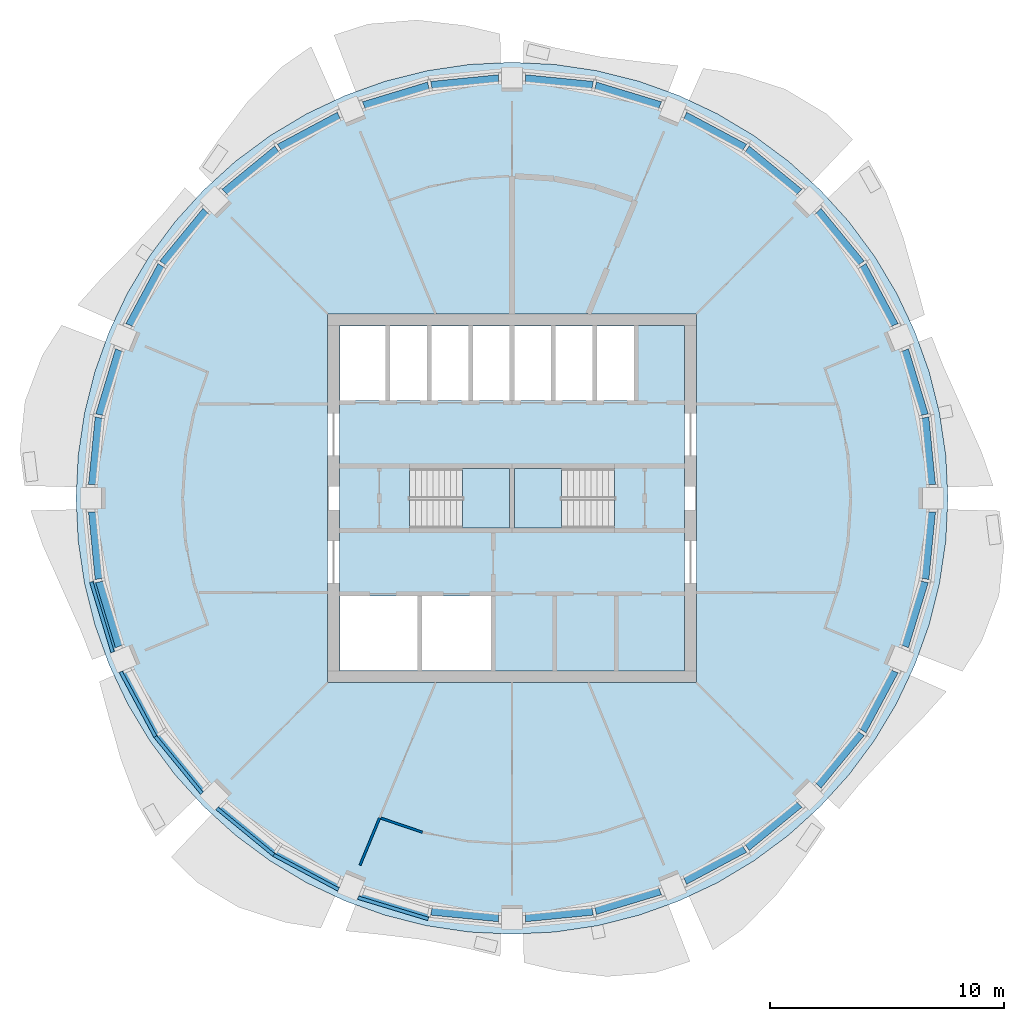
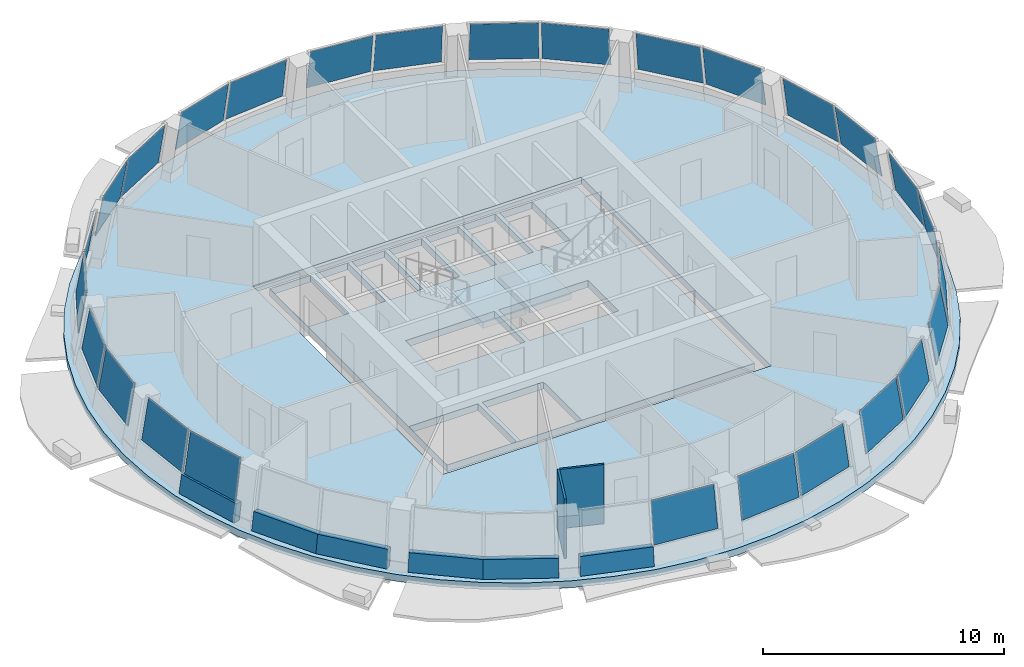
# One storey, part 3 of 11: 27 plates, 8 walls, 4 slabs, 16 elements without a shape of their own.
"""IFC4 building model written with IfcOpenShell, lengths in metres."""

import ifcopenshell
import ifcopenshell.guid

model = None  # the IFC model being written
_history = None  # IfcOwnerHistory: only IFC2X3 demands one
_inside = {}  # id of a spatial element -> (the spatial element, [elements in it])
_under = {}  # id of a project, library or spatial element -> (it, [spatial elements below it])
_declared = {}  # id of a project -> (the project, [libraries it declares])
_typed = {}  # id of a type object -> (the type object, [elements of that type])
_made_of = {}  # id of a material, layer set ... -> (it, [elements and type objects made of it])


def new_model(schema):
    """Start an empty IFC model of exactly this schema.

    Asked for "IFC4X3", IfcOpenShell would pick the latest addendum, in which some entities
    have other attributes; the version numbers below select the first issue.
    IFC2X3 requires an IfcOwnerHistory on every rooted entity: one is made here for all.
    """
    global model, _history
    if schema == "IFC4X3":
        model = ifcopenshell.file(schema_version=(4, 3, 0, 0))
    else:
        model = ifcopenshell.file(schema=schema)
    _inside.clear()
    _under.clear()
    _declared.clear()
    _typed.clear()
    _made_of.clear()
    _history = None
    if model.schema == "IFC2X3":
        org = make("IfcOrganization", Name="unknown")
        user = make(
            "IfcPersonAndOrganization",
            ThePerson=make("IfcPerson", FamilyName="unknown"),
            TheOrganization=org,
        )
        app = make(
            "IfcApplication",
            ApplicationDeveloper=org,
            Version="unknown",
            ApplicationFullName="unknown",
            ApplicationIdentifier="unknown",
        )
        _history = make(
            "IfcOwnerHistory",
            OwningUser=user,
            OwningApplication=app,
            ChangeAction="ADDED",
            CreationDate=0,
        )
    return model


def make(cls, **values):
    """One entity of the class cls with the attributes given. An attribute that is None is left unset."""
    return model.create_entity(
        cls, **{name: value for name, value in values.items() if value is not None}
    )


def rooted(cls, **values):
    """An entity with a GlobalId (a new one), such as an element, a storey or a relation."""
    return make(cls, GlobalId=ifcopenshell.guid.new(), OwnerHistory=_history, **values)


def si_unit(unit_type, name, prefix=None):
    """IfcSIUnit, for example si_unit("LENGTHUNIT", "METRE", prefix="MILLI")."""
    return make("IfcSIUnit", UnitType=unit_type, Prefix=prefix, Name=name)


def assignment(units):
    """IfcUnitAssignment: the units of a project."""
    return None if units is None else make("IfcUnitAssignment", Units=units)


def point(xyz):
    """IfcCartesianPoint."""
    return None if xyz is None else make("IfcCartesianPoint", Coordinates=xyz)


def direction(xyz):
    """IfcDirection."""
    return None if xyz is None else make("IfcDirection", DirectionRatios=xyz)


def frame(location, z_axis=None, x_axis=None):
    """IfcAxis2Placement3D, a coordinate frame: its origin and axes. An axis left out is left unset."""
    return make(
        "IfcAxis2Placement3D",
        Location=point(location),
        Axis=direction(z_axis),
        RefDirection=direction(x_axis),
    )


def frame_2d(location, x_axis=None):
    """IfcAxis2Placement2D, a coordinate frame in the plane: its origin and x axis."""
    return make(
        "IfcAxis2Placement2D", Location=point(location), RefDirection=direction(x_axis)
    )


def origin():
    """The frame at (0, 0, 0) with its axes left unset."""
    return frame((0.0, 0.0, 0.0))


def place(relative_to, where):
    """IfcLocalPlacement: puts the frame where relative to a parent placement (None: the world)."""
    return make(
        "IfcLocalPlacement", PlacementRelTo=relative_to, RelativePlacement=where
    )


def context(
    kind, dimensions, precision=None, world=None, true_north=None, identifier=None
):
    """IfcGeometricRepresentationContext, for example the 3D "Model" context."""
    return make(
        "IfcGeometricRepresentationContext",
        ContextIdentifier=identifier,
        ContextType=kind,
        CoordinateSpaceDimension=dimensions,
        Precision=precision,
        WorldCoordinateSystem=world,
        TrueNorth=true_north,
    )


def subcontext(parent, identifier, kind, view, scale=None):
    """IfcGeometricRepresentationSubContext, for example "Body" below "Model"."""
    return make(
        "IfcGeometricRepresentationSubContext",
        ContextIdentifier=identifier,
        ContextType=kind,
        ParentContext=parent,
        TargetScale=scale,
        TargetView=view,
    )


def project(units=None, contexts=None):
    """IfcProject with its units and contexts."""
    return rooted(
        "IfcProject",
        Name="project",
        RepresentationContexts=contexts,
        UnitsInContext=assignment(units),
    )


def spatial(cls, under=None, at=None, **own):
    """A site, building, storey or space (cls), placed at a placement, below another one or the project."""
    s = rooted(cls, ObjectPlacement=at, **own)
    if under is not None:
        _under.setdefault(under.id(), (under, []))[1].append(s)
    return s


def polyline(points):
    """IfcPolyline through the points."""
    return make("IfcPolyline", Points=[point(p) for p in points])


def profile(cls, at=None, kind="AREA", **sizes):
    """A parametric profile (cls). Its sizes go by their IFC names, for example OverallWidth=200.0."""
    return make(cls, ProfileType=kind, Position=at, **sizes)


def rectangle(**sizes):
    """IfcRectangleProfileDef."""
    return profile("IfcRectangleProfileDef", **sizes)


def outline(outer, holes=None, kind="AREA"):
    """IfcArbitraryClosedProfileDef: a profile drawn as a closed curve; with holes, ...WithVoids."""
    if holes is None:
        return make("IfcArbitraryClosedProfileDef", ProfileType=kind, OuterCurve=outer)
    return make(
        "IfcArbitraryProfileDefWithVoids",
        ProfileType=kind,
        OuterCurve=outer,
        InnerCurves=holes,
    )


def extrude(swept, where, along, depth):
    """IfcExtrudedAreaSolid: the profile swept, set in the frame where, extruded along a direction by depth."""
    return make(
        "IfcExtrudedAreaSolid",
        SweptArea=swept,
        Position=where,
        ExtrudedDirection=direction(along),
        Depth=depth,
    )


def shape(context_of_items, identifier, shape_type, items):
    """IfcShapeRepresentation: the items that make up one representation, for example the "Body"."""
    return make(
        "IfcShapeRepresentation",
        ContextOfItems=context_of_items,
        RepresentationIdentifier=identifier,
        RepresentationType=shape_type,
        Items=items,
    )


def material(Name=None, Category=None):
    """IfcMaterial."""
    return make("IfcMaterial", Name=Name, Category=Category)


def layer(
    of_material, thickness, ventilated=None, Name=None, Category=None, Priority=None
):
    """IfcMaterialLayer: one layer of a wall or slab, of a material (None: an air gap)."""
    return make(
        "IfcMaterialLayer",
        Material=of_material,
        LayerThickness=thickness,
        IsVentilated=ventilated,
        Name=Name,
        Category=Category,
        Priority=Priority,
    )


def layer_set(layers, Name=None):
    """IfcMaterialLayerSet."""
    return make("IfcMaterialLayerSet", MaterialLayers=layers, LayerSetName=Name)


def made_of(thing, what):
    """Note that an element or type object is made of a material, layer set ...; save() writes the relation."""
    if what is not None:
        _made_of.setdefault(what.id(), (what, []))[1].append(thing)
    return thing


def type_object(cls, material=None, **own):
    """A type object (cls), such as IfcWallType, which elements share."""
    return made_of(rooted(cls, **own), material)


def element(
    cls,
    number,
    at=None,
    inside=None,
    cuts=None,
    type_object=None,
    material=None,
    context=None,
    identifier="Body",
    shape_type=None,
    held_by="IfcProductDefinitionShape",
    body=None,
    shapes=None,
    **own,
):
    """One element of the class cls, such as IfcWall. Its Tag is "e" and its number.

    at: its placement. inside: the storey or other place that contains it. cuts: it is an
    opening in that element (IfcRelVoidsElement). A single representation is given by context,
    identifier, shape_type and body (its items); several are given by shapes. held_by: the class
    of the entity that holds the representations. save() writes the other relations.
    """
    e = rooted(cls, Tag="e%d" % number, ObjectPlacement=at, **own)
    if body is not None:
        shapes = [shape(context, identifier, shape_type, body)]
    if shapes is not None:
        e.Representation = make(held_by, Representations=shapes)
    if inside is not None:
        _inside.setdefault(inside.id(), (inside, []))[1].append(e)
    if cuts is not None:
        rooted(
            "IfcRelVoidsElement", RelatingBuildingElement=cuts, RelatedOpeningElement=e
        )
    if type_object is not None:
        _typed.setdefault(type_object.id(), (type_object, []))[1].append(e)
    return made_of(e, material)


def aggregate(whole, parts):
    """IfcRelAggregates: a whole, such as a stair, and the parts it consists of."""
    return rooted("IfcRelAggregates", RelatingObject=whole, RelatedObjects=parts)


def save(model, path):
    """Write the relations noted so far, then the file.

    IfcRelAggregates (storeys below a building ...), IfcRelContainedInSpatialStructure (elements
    in a storey), IfcRelDefinesByType, IfcRelAssociatesMaterial and IfcRelDeclares: one each for
    every whole, place, type object, material and project.
    """
    for whole, parts in _under.values():
        aggregate(whole, parts)
    for where, things in _inside.values():
        rooted(
            "IfcRelContainedInSpatialStructure",
            RelatedElements=things,
            RelatingStructure=where,
        )
    for kind, things in _typed.values():
        rooted("IfcRelDefinesByType", RelatedObjects=things, RelatingType=kind)
    for what, things in _made_of.values():
        rooted("IfcRelAssociatesMaterial", RelatedObjects=things, RelatingMaterial=what)
    for by, libraries in _declared.values():
        rooted("IfcRelDeclares", RelatingContext=by, RelatedDefinitions=libraries)
    model.write(path)


model = new_model("IFC4")

# Units and contexts
model_context = context("Model", 3, precision=1e-05, world=origin(), true_north=direction((0.0, 1.0)))
body_context = subcontext(model_context, "Body", "Model", "MODEL_VIEW")
ifc_project = project(units=[si_unit("LENGTHUNIT", "METRE"), si_unit("AREAUNIT", "SQUARE_METRE"), si_unit("VOLUMEUNIT", "CUBIC_METRE"), si_unit("PLANEANGLEUNIT", "RADIAN"), si_unit("MASSUNIT", "GRAM", prefix="KILO")], contexts=[model_context])

# Site, building, storey
site_placement = place(None, origin())
site = spatial("IfcSite", under=ifc_project, at=site_placement, CompositionType="ELEMENT")
building_placement = place(site_placement, origin())
building = spatial("IfcBuilding", under=site, at=building_placement, Name="Polderwave Tower", CompositionType="ELEMENT")
storey_placement = place(building_placement, frame((0.0, 0.0, 184.300048828125)))
storey = spatial("IfcBuildingStorey", under=building, at=storey_placement, Name="L49", CompositionType="ELEMENT", Elevation=184.300048828125)

# Slab
ifc_material_1 = material(Name="Concrete C40/50", Category="concrete")
ifc_layer_1 = layer(ifc_material_1, 0.35009765625)
ifc_layer_set_1 = layer_set([ifc_layer_1], Name="Core floor slab 350")
slab_type_1 = type_object("IfcSlabType", Name="Core floor slab 350", PredefinedType="FLOOR", material=ifc_layer_set_1)
slab_1_placement = place(storey_placement, frame((0.0, 0.0, -0.35009765625)))
element("IfcSlab", 1, at=slab_1_placement, inside=storey, type_object=slab_type_1, Name="L49 core floor", PredefinedType="FLOOR", context=body_context, shape_type="SweptSolid", body=[
    extrude(outline(polyline([(-7.3740234375, -7.3740234375), (7.3740234375, -7.3740234375), (7.3740234375, 7.3740234375), (-7.3740234375, 7.3740234375), (-7.3740234375, -7.3740234375)]), holes=[polyline([(-7.35400390625, -7.35400390625), (-4.037109375, -7.35400390625), (-4.037109375, -4.174072265625), (-7.35400390625, -4.174072265625), (-7.35400390625, -7.35400390625)]), polyline([(-3.8369140625, -7.35400390625), (-0.89990234375, -7.35400390625), (-0.89990234375, -4.174072265625), (-3.8369140625, -4.174072265625), (-3.8369140625, -7.35400390625)]), polyline([(-7.35400390625, 4.174072265625), (-5.405517578125, 4.174072265625), (-5.405517578125, 7.35400390625), (-7.35400390625, 7.35400390625), (-7.35400390625, 4.174072265625)]), polyline([(-5.20556640625, 4.174072265625), (-3.636962890625, 4.174072265625), (-3.636962890625, 7.35400390625), (-5.20556640625, 7.35400390625), (-5.20556640625, 4.174072265625)]), polyline([(-3.43701171875, 4.174072265625), (-1.868408203125, 4.174072265625), (-1.868408203125, 7.35400390625), (-3.43701171875, 7.35400390625), (-3.43701171875, 4.174072265625)]), polyline([(-1.66845703125, 4.174072265625), (-0.10009765625, 4.174072265625), (-0.10009765625, 7.35400390625), (-1.66845703125, 7.35400390625), (-1.66845703125, 4.174072265625)]), polyline([(0.10009765625, 4.174072265625), (1.66845703125, 4.174072265625), (1.66845703125, 7.35400390625), (0.10009765625, 7.35400390625), (0.10009765625, 4.174072265625)]), polyline([(1.868408203125, 4.174072265625), (3.43701171875, 4.174072265625), (3.43701171875, 7.35400390625), (1.868408203125, 7.35400390625), (1.868408203125, 4.174072265625)]), polyline([(3.636962890625, 4.174072265625), (5.20556640625, 4.174072265625), (5.20556640625, 7.35400390625), (3.636962890625, 7.35400390625), (3.636962890625, 4.174072265625)]), polyline([(-4.37353515625, -1.2744140625), (-0.1005859375, -1.2744140625), (-0.1005859375, 1.2744140625), (-4.37353515625, 1.2744140625), (-4.37353515625, -1.2744140625)]), polyline([(0.1005859375, -1.2744140625), (4.37353515625, -1.2744140625), (4.37353515625, 1.2744140625), (0.1005859375, 1.2744140625), (0.1005859375, -1.2744140625)])]), origin(), (0.0, 0.0, 1.0), 0.35009765625),
])

# Curtain wall, plates
ifc_material_2 = material(Name="Aluminium 6063-T6 and glass", Category="aluminium")
curtain_wall_type = type_object("IfcCurtainWallType", Name="Office ribbon glazing, leaning storey wall", PredefinedType="NOTDEFINED", material=ifc_material_2)
curtain_wall_1_placement = place(storey_placement, origin())
curtain_wall_1 = element("IfcCurtainWall", 2, at=curtain_wall_1_placement, inside=storey, type_object=curtain_wall_type, Name="CW9 L49 00", PredefinedType="NOTDEFINED")
ifc_material_3 = material(Name="Glass, low-e laminated double glazing", Category="glass")
ifc_layer_2 = layer(ifc_material_3, 0.031982421875)
ifc_layer_set_2 = layer_set([ifc_layer_2], Name="Office ribbon glazing, leaning storey glass panel 32 mm")
plate_type = type_object("IfcPlateType", Name="Office ribbon glazing, leaning storey glass panel 32 mm", PredefinedType="CURTAIN_PANEL", material=ifc_layer_set_2)
plate_1_placement = place(storey_placement, frame((18.091064453125, 0.579345703125, 0.89990234375), z_axis=(0.981914810067, 0.096847997549, 0.162676891847), x_axis=(-0.098154686587, 0.995171169939, -4.884466e-06)))
plate_1 = element("IfcPlate", 3, at=plate_1_placement, type_object=plate_type, Name="CW9 panel 1", PredefinedType="CURTAIN_PANEL", context=body_context, shape_type="SweptSolid", body=[
    extrude(outline(polyline([(0.0, 0.0), (2.911021017040854, -1.3877787807814457e-17), (2.877710924934307, 2.0675947309602525), (0.03315558389556451, 2.067566238504989), (0.0, 0.0)])), origin(), (0.0, 0.0, -1.0), 0.031982421875),
])
plate_2_placement = place(storey_placement, frame((17.780029296875, 3.60302734375, 0.89990234375), z_axis=(0.944182400493, 0.286537085357, 0.162530284298), x_axis=(-0.29039743376, 0.956906124148, -5.818421e-06)))
plate_2 = element("IfcPlate", 4, at=plate_2_placement, type_object=plate_type, Name="CW9 panel 2", PredefinedType="CURTAIN_PANEL", context=body_context, shape_type="SweptSolid", body=[
    extrude(outline(polyline([(0.0, 0.0), (2.910043156805245, 0.0), (2.8768202700418617, 2.0675468224016), (0.03304825388889574, 2.0675128931418665), (0.0, 0.0)])), origin(), (0.0, 0.0, -1.0), 0.031982421875),
])
aggregate(curtain_wall_1, [plate_1, plate_2])

curtain_wall_2_placement = place(storey_placement, origin())
curtain_wall_2 = element("IfcCurtainWall", 5, at=curtain_wall_2_placement, inside=storey, type_object=curtain_wall_type, Name="CW9 L49 01", PredefinedType="NOTDEFINED")
plate_3_placement = place(storey_placement, frame((16.491943359375, 7.45849609375, 0.89990234375), z_axis=(0.870119635538, 0.465244395195, 0.162602191221), x_axis=(-0.471518371063, 0.881856238674, -7.867249e-06)))
plate_3 = element("IfcPlate", 6, at=plate_3_placement, type_object=plate_type, Name="CW9 panel 1", PredefinedType="CURTAIN_PANEL", context=body_context, shape_type="SweptSolid", body=[
    extrude(outline(polyline([(0.0, 0.0), (2.910157721268269, 0.0), (2.8770777551603324, 2.0675776231824265), (0.033211130182774454, 2.0675317442709784), (0.0, 0.0)])), origin(), (0.0, 0.0, -1.0), 0.031982421875),
])
plate_4_placement = place(storey_placement, frame((15.0478515625, 10.13232421875, 0.89990234375), z_axis=(0.762780983698, 0.62589733664, 0.162535211248), x_axis=(-0.634331768305, 0.773060934019, -3.503516e-06)))
plate_4 = element("IfcPlate", 7, at=plate_4_placement, type_object=plate_type, Name="CW9 panel 2", PredefinedType="CURTAIN_PANEL", context=body_context, shape_type="SweptSolid", body=[
    extrude(outline(polyline([(0.0, 0.0), (2.910141359165494, -2.7755575615628914e-17), (2.877697117455184, 2.0675417767761304), (0.03314000508848482, 2.0675213433890103), (0.0, 0.0)])), origin(), (0.0, 0.0, -1.0), 0.031982421875),
])
aggregate(curtain_wall_2, [plate_3, plate_4])

curtain_wall_3_placement = place(storey_placement, origin())
curtain_wall_3 = element("IfcCurtainWall", 8, at=curtain_wall_3_placement, inside=storey, type_object=curtain_wall_type, Name="CW9 L49 02", PredefinedType="NOTDEFINED")
plate_5_placement = place(storey_placement, frame((12.382080078125, 13.201904296875, 0.89990234375), z_axis=(0.625880422179, 0.762760370048, 0.162697003714), x_axis=(-0.773060934749, 0.634331767416, 3.506909e-06)))
plate_5 = element("IfcPlate", 9, at=plate_5_placement, type_object=plate_type, Name="CW9 panel 1", PredefinedType="CURTAIN_PANEL", context=body_context, shape_type="SweptSolid", body=[
    extrude(outline(polyline([(0.0, 0.0), (2.9101413591655305, -2.7755575615628914e-17), (2.8770352308101934, 2.067577208279909), (0.032478118443602946, 2.067597662007041), (0.0, 0.0)])), origin(), (0.0, 0.0, -1.0), 0.031982421875),
])
plate_6_placement = place(storey_placement, frame((10.02490234375, 15.119873046875, 0.89990234375), z_axis=(0.465244395195, 0.870119635538, 0.162602191221), x_axis=(-0.881856238674, 0.471518371063, 7.867249e-06)))
plate_6 = element("IfcPlate", 10, at=plate_6_placement, type_object=plate_type, Name="CW9 panel 2", PredefinedType="CURTAIN_PANEL", context=body_context, shape_type="SweptSolid", body=[
    extrude(outline(polyline([(0.0, 0.0), (2.910157721268269, 0.0), (2.876946591085494, 2.067531744270979), (0.03307996610793687, 2.0675776231824265), (0.0, 0.0)])), origin(), (0.0, 0.0, -1.0), 0.031982421875),
])
aggregate(curtain_wall_3, [plate_5, plate_6])

curtain_wall_4_placement = place(storey_placement, origin())
curtain_wall_4 = element("IfcCurtainWall", 11, at=curtain_wall_4_placement, inside=storey, type_object=curtain_wall_type, Name="CW9 L49 03", PredefinedType="NOTDEFINED")
plate_7_placement = place(storey_placement, frame((6.3876953125, 16.93505859375, 0.89990234375), z_axis=(0.286531821409, 0.944165055001, 0.162640290935), x_axis=(-0.956906124525, 0.290397432518, 5.822253e-06)))
plate_7 = element("IfcPlate", 12, at=plate_7_placement, type_object=plate_type, Name="CW9 panel 1", PredefinedType="CURTAIN_PANEL", context=body_context, shape_type="SweptSolid", body=[
    extrude(outline(polyline([(0.0, 0.0), (2.910043156805314, -5.551115123125783e-17), (2.87692401335745, 2.0675508651861287), (0.03315199720468743, 2.067584817410467), (0.0, 0.0)])), origin(), (0.0, 0.0, -1.0), 0.031982421875),
])
plate_8_placement = place(storey_placement, frame((3.476318359375, 17.805419921875, 0.89990234375), z_axis=(0.096845851355, 0.98193490255, 0.16255684615), x_axis=(-0.995171567675, 0.098150653965, 4.213173e-06)))
plate_8 = element("IfcPlate", 13, at=plate_8_placement, type_object=plate_type, Name="CW9 panel 2", PredefinedType="CURTAIN_PANEL", context=body_context, shape_type="SweptSolid", body=[
    extrude(outline(polyline([(0.0, 0.0), (2.9110210173753073, -6.938893903907228e-18), (2.8778893891632844, 2.0675267385105935), (0.03309108669894159, 2.067551315671667), (0.0, 0.0)])), origin(), (0.0, 0.0, -1.0), 0.031982421875),
])
aggregate(curtain_wall_4, [plate_7, plate_8])

curtain_wall_5_placement = place(storey_placement, origin())
curtain_wall_5 = element("IfcCurtainWall", 14, at=curtain_wall_5_placement, inside=storey, type_object=curtain_wall_type, Name="CW9 L49 04", PredefinedType="NOTDEFINED")
plate_9_placement = place(storey_placement, frame((-0.579345703125, 18.091064453125, 0.89990234375), z_axis=(-0.096847997549, 0.981914810067, 0.162676891847), x_axis=(-0.995171169939, -0.098154686587, -4.884466e-06)))
plate_9 = element("IfcPlate", 15, at=plate_9_placement, type_object=plate_type, Name="CW9 panel 1", PredefinedType="CURTAIN_PANEL", context=body_context, shape_type="SweptSolid", body=[
    extrude(outline(polyline([(0.0, 0.0), (2.911021017040854, -1.3877787807814457e-17), (2.877710924934307, 2.0675947309602525), (0.03315558389556451, 2.067566238504989), (0.0, 0.0)])), origin(), (0.0, 0.0, -1.0), 0.031982421875),
])
plate_10_placement = place(storey_placement, frame((-3.60302734375, 17.780029296875, 0.89990234375), z_axis=(-0.286537085357, 0.944182400493, 0.162530284298), x_axis=(-0.956906124148, -0.29039743376, -5.818421e-06)))
plate_10 = element("IfcPlate", 16, at=plate_10_placement, type_object=plate_type, Name="CW9 panel 2", PredefinedType="CURTAIN_PANEL", context=body_context, shape_type="SweptSolid", body=[
    extrude(outline(polyline([(0.0, 0.0), (2.910043156805245, 0.0), (2.8768202700418617, 2.0675468224016), (0.03304825388889574, 2.0675128931418665), (0.0, 0.0)])), origin(), (0.0, 0.0, -1.0), 0.031982421875),
])
aggregate(curtain_wall_5, [plate_9, plate_10])

curtain_wall_6_placement = place(storey_placement, origin())
curtain_wall_6 = element("IfcCurtainWall", 17, at=curtain_wall_6_placement, inside=storey, type_object=curtain_wall_type, Name="CW9 L49 05", PredefinedType="NOTDEFINED")
plate_11_placement = place(storey_placement, frame((-7.45849609375, 16.491943359375, 0.89990234375), z_axis=(-0.465244395195, 0.870119635538, 0.162602191221), x_axis=(-0.881856238674, -0.471518371063, -7.867249e-06)))
plate_11 = element("IfcPlate", 18, at=plate_11_placement, type_object=plate_type, Name="CW9 panel 1", PredefinedType="CURTAIN_PANEL", context=body_context, shape_type="SweptSolid", body=[
    extrude(outline(polyline([(0.0, 0.0), (2.910157721268269, 0.0), (2.8770777551603324, 2.0675776231824265), (0.033211130182774454, 2.0675317442709784), (0.0, 0.0)])), origin(), (0.0, 0.0, -1.0), 0.031982421875),
])
plate_12_placement = place(storey_placement, frame((-10.13232421875, 15.0478515625, 0.89990234375), z_axis=(-0.62589733664, 0.762780983698, 0.162535211248), x_axis=(-0.773060934019, -0.634331768305, -3.503516e-06)))
plate_12 = element("IfcPlate", 19, at=plate_12_placement, type_object=plate_type, Name="CW9 panel 2", PredefinedType="CURTAIN_PANEL", context=body_context, shape_type="SweptSolid", body=[
    extrude(outline(polyline([(0.0, 0.0), (2.910141359165494, -2.7755575615628914e-17), (2.877697117455184, 2.0675417767761304), (0.03314000508848482, 2.0675213433890103), (0.0, 0.0)])), origin(), (0.0, 0.0, -1.0), 0.031982421875),
])
aggregate(curtain_wall_6, [plate_11, plate_12])

curtain_wall_7_placement = place(storey_placement, origin())
curtain_wall_7 = element("IfcCurtainWall", 20, at=curtain_wall_7_placement, inside=storey, type_object=curtain_wall_type, Name="CW9 L49 06", PredefinedType="NOTDEFINED")
plate_13_placement = place(storey_placement, frame((-13.201904296875, 12.382080078125, 0.89990234375), z_axis=(-0.762760370048, 0.625880422179, 0.162697003714), x_axis=(-0.634331767416, -0.773060934749, 3.506909e-06)))
plate_13 = element("IfcPlate", 21, at=plate_13_placement, type_object=plate_type, Name="CW9 panel 1", PredefinedType="CURTAIN_PANEL", context=body_context, shape_type="SweptSolid", body=[
    extrude(outline(polyline([(0.0, 0.0), (2.9101413591655305, -2.7755575615628914e-17), (2.8770352308101934, 2.067577208279909), (0.032478118443602946, 2.067597662007041), (0.0, 0.0)])), origin(), (0.0, 0.0, -1.0), 0.031982421875),
])
plate_14_placement = place(storey_placement, frame((-15.119873046875, 10.02490234375, 0.89990234375), z_axis=(-0.870119635538, 0.465244395195, 0.162602191221), x_axis=(-0.471518371063, -0.881856238674, 7.867249e-06)))
plate_14 = element("IfcPlate", 22, at=plate_14_placement, type_object=plate_type, Name="CW9 panel 2", PredefinedType="CURTAIN_PANEL", context=body_context, shape_type="SweptSolid", body=[
    extrude(outline(polyline([(0.0, 0.0), (2.910157721268269, 0.0), (2.876946591085494, 2.067531744270979), (0.03307996610793687, 2.0675776231824265), (0.0, 0.0)])), origin(), (0.0, 0.0, -1.0), 0.031982421875),
])
aggregate(curtain_wall_7, [plate_13, plate_14])

curtain_wall_8_placement = place(storey_placement, origin())
curtain_wall_8 = element("IfcCurtainWall", 23, at=curtain_wall_8_placement, inside=storey, type_object=curtain_wall_type, Name="CW9 L49 07", PredefinedType="NOTDEFINED")
plate_15_placement = place(storey_placement, frame((-16.93505859375, 6.3876953125, 0.89990234375), z_axis=(-0.944165055001, 0.286531821409, 0.162640290935), x_axis=(-0.290397432518, -0.956906124525, 5.822253e-06)))
plate_15 = element("IfcPlate", 24, at=plate_15_placement, type_object=plate_type, Name="CW9 panel 1", PredefinedType="CURTAIN_PANEL", context=body_context, shape_type="SweptSolid", body=[
    extrude(outline(polyline([(0.0, 0.0), (2.910043156805314, -5.551115123125783e-17), (2.87692401335745, 2.0675508651861287), (0.03315199720468743, 2.067584817410467), (0.0, 0.0)])), origin(), (0.0, 0.0, -1.0), 0.031982421875),
])
plate_16_placement = place(storey_placement, frame((-17.805419921875, 3.476318359375, 0.89990234375), z_axis=(-0.98193490255, 0.096845851355, 0.16255684615), x_axis=(-0.098150653965, -0.995171567675, 4.213173e-06)))
plate_16 = element("IfcPlate", 25, at=plate_16_placement, type_object=plate_type, Name="CW9 panel 2", PredefinedType="CURTAIN_PANEL", context=body_context, shape_type="SweptSolid", body=[
    extrude(outline(polyline([(0.0, 0.0), (2.9110210173753073, -6.938893903907228e-18), (2.8778893891632844, 2.0675267385105935), (0.03309108669894159, 2.067551315671667), (0.0, 0.0)])), origin(), (0.0, 0.0, -1.0), 0.031982421875),
])
aggregate(curtain_wall_8, [plate_15, plate_16])

curtain_wall_9_placement = place(storey_placement, origin())
curtain_wall_9 = element("IfcCurtainWall", 26, at=curtain_wall_9_placement, inside=storey, type_object=curtain_wall_type, Name="CW9 L49 08", PredefinedType="NOTDEFINED")
plate_17_placement = place(storey_placement, frame((-18.091064453125, -0.579345703125, 0.89990234375), z_axis=(-0.981914810067, -0.096847997549, 0.162676891847), x_axis=(0.098154686587, -0.995171169939, -4.884466e-06)))
plate_17 = element("IfcPlate", 27, at=plate_17_placement, type_object=plate_type, Name="CW9 panel 1", PredefinedType="CURTAIN_PANEL", context=body_context, shape_type="SweptSolid", body=[
    extrude(outline(polyline([(0.0, 0.0), (2.911021017040854, -1.3877787807814457e-17), (2.877710924934307, 2.0675947309602525), (0.03315558389556451, 2.067566238504989), (0.0, 0.0)])), origin(), (0.0, 0.0, -1.0), 0.031982421875),
])
plate_18_placement = place(storey_placement, frame((-17.780029296875, -3.60302734375, 0.89990234375), z_axis=(-0.944182400493, -0.286537085357, 0.162530284298), x_axis=(0.29039743376, -0.956906124148, -5.818421e-06)))
plate_18 = element("IfcPlate", 28, at=plate_18_placement, type_object=plate_type, Name="CW9 panel 2", PredefinedType="CURTAIN_PANEL", context=body_context, shape_type="SweptSolid", body=[
    extrude(outline(polyline([(0.0, 0.0), (2.910043156805245, 0.0), (2.8768202700418617, 2.0675468224016), (0.03304825388889574, 2.0675128931418665), (0.0, 0.0)])), origin(), (0.0, 0.0, -1.0), 0.031982421875),
])
aggregate(curtain_wall_9, [plate_17, plate_18])

# Curtain wall, plate
curtain_wall_10_placement = place(storey_placement, origin())
curtain_wall_10 = element("IfcCurtainWall", 29, at=curtain_wall_10_placement, inside=storey, type_object=curtain_wall_type, Name="CW9 L49 11", PredefinedType="NOTDEFINED")
plate_19_placement = place(storey_placement, frame((-3.476318359375, -17.805419921875, 0.89990234375), z_axis=(-0.096845851355, -0.98193490255, 0.16255684615), x_axis=(0.995171567675, -0.098150653965, 4.213173e-06)))
plate_19 = element("IfcPlate", 30, at=plate_19_placement, type_object=plate_type, Name="CW9 panel 2", PredefinedType="CURTAIN_PANEL", context=body_context, shape_type="SweptSolid", body=[
    extrude(outline(polyline([(0.0, 0.0), (2.9110210173753073, -6.938893903907228e-18), (2.8778893891632844, 2.0675267385105935), (0.03309108669894159, 2.067551315671667), (0.0, 0.0)])), origin(), (0.0, 0.0, -1.0), 0.031982421875),
])
aggregate(curtain_wall_10, [plate_19])

# Curtain wall, plates
curtain_wall_11_placement = place(storey_placement, origin())
curtain_wall_11 = element("IfcCurtainWall", 31, at=curtain_wall_11_placement, inside=storey, type_object=curtain_wall_type, Name="CW9 L49 12", PredefinedType="NOTDEFINED")
plate_20_placement = place(storey_placement, frame((0.579345703125, -18.091064453125, 0.89990234375), z_axis=(0.096847997549, -0.981914810067, 0.162676891847), x_axis=(0.995171169939, 0.098154686587, -4.884466e-06)))
plate_20 = element("IfcPlate", 32, at=plate_20_placement, type_object=plate_type, Name="CW9 panel 1", PredefinedType="CURTAIN_PANEL", context=body_context, shape_type="SweptSolid", body=[
    extrude(outline(polyline([(0.0, 0.0), (2.911021017040854, -1.3877787807814457e-17), (2.877710924934307, 2.0675947309602525), (0.03315558389556451, 2.067566238504989), (0.0, 0.0)])), origin(), (0.0, 0.0, -1.0), 0.031982421875),
])
plate_21_placement = place(storey_placement, frame((3.60302734375, -17.780029296875, 0.89990234375), z_axis=(0.286537085357, -0.944182400493, 0.162530284298), x_axis=(0.956906124148, 0.29039743376, -5.818421e-06)))
plate_21 = element("IfcPlate", 33, at=plate_21_placement, type_object=plate_type, Name="CW9 panel 2", PredefinedType="CURTAIN_PANEL", context=body_context, shape_type="SweptSolid", body=[
    extrude(outline(polyline([(0.0, 0.0), (2.910043156805245, 0.0), (2.8768202700418617, 2.0675468224016), (0.03304825388889574, 2.0675128931418665), (0.0, 0.0)])), origin(), (0.0, 0.0, -1.0), 0.031982421875),
])
aggregate(curtain_wall_11, [plate_20, plate_21])

curtain_wall_12_placement = place(storey_placement, origin())
curtain_wall_12 = element("IfcCurtainWall", 34, at=curtain_wall_12_placement, inside=storey, type_object=curtain_wall_type, Name="CW9 L49 13", PredefinedType="NOTDEFINED")
plate_22_placement = place(storey_placement, frame((7.45849609375, -16.491943359375, 0.89990234375), z_axis=(0.465244395195, -0.870119635538, 0.162602191221), x_axis=(0.881856238674, 0.471518371063, -7.867249e-06)))
plate_22 = element("IfcPlate", 35, at=plate_22_placement, type_object=plate_type, Name="CW9 panel 1", PredefinedType="CURTAIN_PANEL", context=body_context, shape_type="SweptSolid", body=[
    extrude(outline(polyline([(0.0, 0.0), (2.910157721268269, 0.0), (2.8770777551603324, 2.0675776231824265), (0.033211130182774454, 2.0675317442709784), (0.0, 0.0)])), origin(), (0.0, 0.0, -1.0), 0.031982421875),
])
plate_23_placement = place(storey_placement, frame((10.13232421875, -15.0478515625, 0.89990234375), z_axis=(0.62589733664, -0.762780983698, 0.162535211248), x_axis=(0.773060934019, 0.634331768305, -3.503516e-06)))
plate_23 = element("IfcPlate", 36, at=plate_23_placement, type_object=plate_type, Name="CW9 panel 2", PredefinedType="CURTAIN_PANEL", context=body_context, shape_type="SweptSolid", body=[
    extrude(outline(polyline([(0.0, 0.0), (2.910141359165494, -2.7755575615628914e-17), (2.877697117455184, 2.0675417767761304), (0.03314000508848482, 2.0675213433890103), (0.0, 0.0)])), origin(), (0.0, 0.0, -1.0), 0.031982421875),
])
aggregate(curtain_wall_12, [plate_22, plate_23])

curtain_wall_13_placement = place(storey_placement, origin())
curtain_wall_13 = element("IfcCurtainWall", 37, at=curtain_wall_13_placement, inside=storey, type_object=curtain_wall_type, Name="CW9 L49 14", PredefinedType="NOTDEFINED")
plate_24_placement = place(storey_placement, frame((13.201904296875, -12.382080078125, 0.89990234375), z_axis=(0.762760370048, -0.625880422179, 0.162697003714), x_axis=(0.634331767416, 0.773060934749, 3.506909e-06)))
plate_24 = element("IfcPlate", 38, at=plate_24_placement, type_object=plate_type, Name="CW9 panel 1", PredefinedType="CURTAIN_PANEL", context=body_context, shape_type="SweptSolid", body=[
    extrude(outline(polyline([(0.0, 0.0), (2.9101413591655305, -2.7755575615628914e-17), (2.8770352308101934, 2.067577208279909), (0.032478118443602946, 2.067597662007041), (0.0, 0.0)])), origin(), (0.0, 0.0, -1.0), 0.031982421875),
])
plate_25_placement = place(storey_placement, frame((15.119873046875, -10.02490234375, 0.89990234375), z_axis=(0.870119635538, -0.465244395195, 0.162602191221), x_axis=(0.471518371063, 0.881856238674, 7.867249e-06)))
plate_25 = element("IfcPlate", 39, at=plate_25_placement, type_object=plate_type, Name="CW9 panel 2", PredefinedType="CURTAIN_PANEL", context=body_context, shape_type="SweptSolid", body=[
    extrude(outline(polyline([(0.0, 0.0), (2.910157721268269, 0.0), (2.876946591085494, 2.067531744270979), (0.03307996610793687, 2.0675776231824265), (0.0, 0.0)])), origin(), (0.0, 0.0, -1.0), 0.031982421875),
])
aggregate(curtain_wall_13, [plate_24, plate_25])

curtain_wall_14_placement = place(storey_placement, origin())
curtain_wall_14 = element("IfcCurtainWall", 40, at=curtain_wall_14_placement, inside=storey, type_object=curtain_wall_type, Name="CW9 L49 15", PredefinedType="NOTDEFINED")
plate_26_placement = place(storey_placement, frame((16.93505859375, -6.3876953125, 0.89990234375), z_axis=(0.944165055001, -0.286531821409, 0.162640290935), x_axis=(0.290397432518, 0.956906124525, 5.822253e-06)))
plate_26 = element("IfcPlate", 41, at=plate_26_placement, type_object=plate_type, Name="CW9 panel 1", PredefinedType="CURTAIN_PANEL", context=body_context, shape_type="SweptSolid", body=[
    extrude(outline(polyline([(0.0, 0.0), (2.910043156805314, -5.551115123125783e-17), (2.87692401335745, 2.0675508651861287), (0.03315199720468743, 2.067584817410467), (0.0, 0.0)])), origin(), (0.0, 0.0, -1.0), 0.031982421875),
])
plate_27_placement = place(storey_placement, frame((17.805419921875, -3.476318359375, 0.89990234375), z_axis=(0.98193490255, -0.096845851355, 0.16255684615), x_axis=(0.098150653965, 0.995171567675, 4.213173e-06)))
plate_27 = element("IfcPlate", 42, at=plate_27_placement, type_object=plate_type, Name="CW9 panel 2", PredefinedType="CURTAIN_PANEL", context=body_context, shape_type="SweptSolid", body=[
    extrude(outline(polyline([(0.0, 0.0), (2.9110210173753073, -6.938893903907228e-18), (2.8778893891632844, 2.0675267385105935), (0.03309108669894159, 2.067551315671667), (0.0, 0.0)])), origin(), (0.0, 0.0, -1.0), 0.031982421875),
])
aggregate(curtain_wall_14, [plate_26, plate_27])

# Slab
ifc_layer_3 = layer(ifc_material_1, 0.35009765625)
ifc_layer_set_3 = layer_set([ifc_layer_3], Name="PT FLOOR SLAB 350 C40/50")
slab_type_2 = type_object("IfcSlabType", Name="PT FLOOR SLAB 350 C40/50", PredefinedType="FLOOR", material=ifc_layer_set_3)
slab_2_placement = place(storey_placement, frame((0.0, 0.0, -0.35009765625)))
element("IfcSlab", 43, at=slab_2_placement, inside=storey, type_object=slab_type_2, Name="ST-SLAB-L49", PredefinedType="FLOOR", context=body_context, shape_type="SweptSolid", body=[
    extrude(outline(polyline([(18.6201171875, 0.0), (18.5302734375, 1.8251953125), (18.26220703125, 3.632568359375), (17.818115234375, 5.405029296875), (17.20263671875, 7.12548828125), (16.42138671875, 8.77734375), (15.48193359375, 10.3447265625), (14.3935546875, 11.8125), (13.166259765625, 13.166259765625), (11.8125, 14.3935546875), (10.3447265625, 15.48193359375), (8.77734375, 16.42138671875), (7.12548828125, 17.20263671875), (5.405029296875, 17.818115234375), (3.632568359375, 18.26220703125), (1.8251953125, 18.5302734375), (0.0, 18.6201171875), (-1.8251953125, 18.5302734375), (-3.632568359375, 18.26220703125), (-5.405029296875, 17.818115234375), (-7.12548828125, 17.20263671875), (-8.77734375, 16.42138671875), (-10.3447265625, 15.48193359375), (-11.8125, 14.3935546875), (-13.166259765625, 13.166259765625), (-14.3935546875, 11.8125), (-15.48193359375, 10.3447265625), (-16.42138671875, 8.77734375), (-17.20263671875, 7.12548828125), (-17.818115234375, 5.405029296875), (-18.26220703125, 3.632568359375), (-18.5302734375, 1.8251953125), (-18.6201171875, 0.0), (-18.5302734375, -1.8251953125), (-18.26220703125, -3.632568359375), (-17.818115234375, -5.405029296875), (-17.20263671875, -7.12548828125), (-16.42138671875, -8.77734375), (-15.48193359375, -10.3447265625), (-14.3935546875, -11.8125), (-13.166259765625, -13.166259765625), (-11.8125, -14.3935546875), (-10.3447265625, -15.48193359375), (-8.77734375, -16.42138671875), (-7.12548828125, -17.20263671875), (-5.405029296875, -17.818115234375), (-3.632568359375, -18.26220703125), (-1.8251953125, -18.5302734375), (0.0, -18.6201171875), (1.8251953125, -18.5302734375), (3.632568359375, -18.26220703125), (5.405029296875, -17.818115234375), (7.12548828125, -17.20263671875), (8.77734375, -16.42138671875), (10.3447265625, -15.48193359375), (11.8125, -14.3935546875), (13.166259765625, -13.166259765625), (14.3935546875, -11.8125), (15.48193359375, -10.3447265625), (16.42138671875, -8.77734375), (17.20263671875, -7.12548828125), (17.818115234375, -5.405029296875), (18.26220703125, -3.632568359375), (18.5302734375, -1.8251953125), (18.6201171875, 0.0)]), holes=[polyline([(-7.8740234375, -7.8740234375), (7.8740234375, -7.8740234375), (7.8740234375, 7.8740234375), (-7.8740234375, 7.8740234375), (-7.8740234375, -7.8740234375)])]), origin(), (0.0, 0.0, 1.0), 0.35009765625),
])

# Stair, slab
stair_type = type_object("IfcStairType", Name="Exit stair 1200 x 20 risers", PredefinedType="HALF_TURN_STAIR", material=ifc_material_1)
stair_1_placement = place(storey_placement, origin())
stair_1 = element("IfcStair", 44, at=stair_1_placement, inside=storey, type_object=stair_type, Name="L49 Exit stair A", PredefinedType="HALF_TURN_STAIR")
ifc_layer_4 = layer(ifc_material_1, 0.300048828125)
ifc_layer_set_4 = layer_set([ifc_layer_4], Name="Stair landing 300")
slab_type_3 = type_object("IfcSlabType", Name="Stair landing 300", PredefinedType="LANDING", material=ifc_layer_set_4)
slab_3_placement = place(storey_placement, frame((0.0, 0.0, 1.375)))
slab_3 = element("IfcSlab", 45, at=slab_3_placement, type_object=slab_type_3, Name="ST-A landing 1", PredefinedType="LANDING", context=body_context, shape_type="SweptSolid", body=[
    extrude(outline(polyline([(-2.1240234375, -1.27490234375), (-0.10009765625, -1.27490234375), (-0.10009765625, 1.27490234375), (-2.1240234375, 1.27490234375), (-2.1240234375, -1.27490234375)])), origin(), (0.0, 0.0, 1.0), 0.300048828125),
])
aggregate(stair_1, [slab_3])

stair_2_placement = place(storey_placement, origin())
stair_2 = element("IfcStair", 46, at=stair_2_placement, inside=storey, type_object=stair_type, Name="L49 Exit stair B", PredefinedType="HALF_TURN_STAIR")
slab_4_placement = place(storey_placement, frame((0.0, 0.0, 1.375)))
slab_4 = element("IfcSlab", 47, at=slab_4_placement, type_object=slab_type_3, Name="ST-B landing 1", PredefinedType="LANDING", context=body_context, shape_type="SweptSolid", body=[
    extrude(outline(polyline([(2.1240234375, 1.27490234375), (0.10009765625, 1.27490234375), (0.10009765625, -1.27490234375), (2.1240234375, -1.27490234375), (2.1240234375, 1.27490234375)])), origin(), (0.0, 0.0, 1.0), 0.300048828125),
])
aggregate(stair_2, [slab_4])

# Walls
ifc_material_4 = material(Name="Concrete C50/60 (board-marked)", Category="concrete")
ifc_layer_5 = layer(ifc_material_4, 0.300048828125)
ifc_layer_set_5 = layer_set([ifc_layer_5], Name="Concrete spandrel upstand C50/60")
wall_type_1 = type_object("IfcWallType", Name="Concrete spandrel upstand C50/60", PredefinedType="SOLIDWALL", material=ifc_layer_set_5)
wall_1_placement = place(storey_placement, frame((-18.043212890625, -3.589599609375, 0.0), z_axis=(-0.944194299341, -0.286418531815, 0.162670064008), x_axis=(0.290285654048, -0.956940039415, 4.29464e-06)))
element("IfcWall", 48, at=wall_1_placement, inside=storey, type_object=wall_type_1, Name="Spandrel L49 9b", PredefinedType="SOLIDWALL", context=body_context, shape_type="SweptSolid", body=[
    extrude(outline(polyline([(0.0, 0.0), (3.151090520637664, 5.551115123125783e-17), (3.1366300493832275, 0.9120367272109542), (0.014419954122899748, 0.9120640324691018), (0.0, 0.0)])), origin(), (0.0, 0.0, -1.0), 0.300048828125),
])
wall_2_placement = place(storey_placement, frame((-16.782470703125, -7.44140625, 0.0), z_axis=(-0.870053087177, -0.465338838382, 0.162688017342), x_axis=(0.471621015005, -0.881801348468, -6.731272e-06)))
element("IfcWall", 49, at=wall_2_placement, inside=storey, type_object=wall_type_1, Name="Spandrel L49 10a", PredefinedType="SOLIDWALL", context=body_context, shape_type="SweptSolid", body=[
    extrude(outline(polyline([(0.0, 0.0), (3.151771311111445, 2.7755575615628914e-17), (3.1370609121058677, 0.9120745174751712), (0.014772882519417198, 0.9120317148366439), (0.0, 0.0)])), origin(), (0.0, 0.0, -1.0), 0.300048828125),
])
wall_3_placement = place(storey_placement, frame((-15.296142578125, -10.220703125, 0.0), z_axis=(-0.762829436571, -0.625791219471, 0.162716318582), x_axis=(0.634244680745, -0.773132385109, 6.479811e-06)))
element("IfcWall", 50, at=wall_3_placement, inside=storey, type_object=wall_type_1, Name="Spandrel L49 10b", PredefinedType="SOLIDWALL", context=body_context, shape_type="SweptSolid", body=[
    extrude(outline(polyline([(0.0, 0.0), (3.1512815606114035, 0.0), (3.1368278322630134, 0.9120368292562752), (0.014491008658826651, 0.9120780302099851), (0.0, 0.0)])), origin(), (0.0, 0.0, -1.0), 0.300048828125),
])
wall_4_placement = place(storey_placement, frame((-12.656982421875, -13.29736328125, 0.0), z_axis=(-0.625801401555, -0.762803450932, 0.162798959018), x_axis=(0.773117144297, -0.634263258583, -2.518315e-06)))
element("IfcWall", 51, at=wall_4_placement, inside=storey, type_object=wall_type_1, Name="Spandrel L49 11a", PredefinedType="SOLIDWALL", context=body_context, shape_type="SweptSolid", body=[
    extrude(outline(polyline([(0.0, 0.0), (3.151281562733108, 5.551115123125783e-17), (3.1367905498406303, 0.9120780374733293), (0.014642479521485686, 0.9120620253892199), (0.0, 0.0)])), origin(), (0.0, 0.0, -1.0), 0.300048828125),
])
wall_5_placement = place(storey_placement, frame((-10.220703125, -15.296142578125, 0.0), z_axis=(-0.465338838382, -0.870053087177, 0.162688017342), x_axis=(0.881801348468, -0.471621015005, 6.731272e-06)))
element("IfcWall", 52, at=wall_5_placement, inside=storey, type_object=wall_type_1, Name="Spandrel L49 11b", PredefinedType="SOLIDWALL", context=body_context, shape_type="SweptSolid", body=[
    extrude(outline(polyline([(0.0, 0.0), (3.151771311111445, -2.7755575615628914e-17), (3.136998428592028, 0.9120317148366439), (0.01471039900557733, 0.9120745174751711), (0.0, 0.0)])), origin(), (0.0, 0.0, -1.0), 0.300048828125),
])
wall_6_placement = place(storey_placement, frame((-6.60498046875, -17.12841796875, 0.0), z_axis=(-0.286447724297, -0.94416395345, 0.162794748846), x_axis=(0.956929514391, -0.290320348038, 1.683956e-06)))
element("IfcWall", 53, at=wall_6_placement, inside=storey, type_object=wall_type_1, Name="Spandrel L49 12a", PredefinedType="SOLIDWALL", context=body_context, shape_type="SweptSolid", body=[
    extrude(outline(polyline([(0.0, 0.0), (3.1510905215672507, 0.0), (3.1366705655894314, 0.9120640356514044), (0.014389596502516772, 0.912074742565234), (0.0, 0.0)])), origin(), (0.0, 0.0, -1.0), 0.300048828125),
])
ifc_material_5 = material(Name="Plasterboard on steel studs", Category="steel")
ifc_layer_6 = layer(ifc_material_5, 0.10009765625)
ifc_layer_set_6 = layer_set([ifc_layer_6], Name="Partition 100 mm plasterboard on steel studs")
wall_type_2 = type_object("IfcWallType", Name="Partition 100 mm plasterboard on steel studs", PredefinedType="PARTITIONING", material=ifc_layer_set_6)
wall_7_placement = place(storey_placement, frame((-5.652099609375, -13.645751953125, 0.0), z_axis=(0.0, 0.0, 1.0), x_axis=(-0.382747093259, -0.923853160736, 0.0)))
element("IfcWall", 54, at=wall_7_placement, inside=storey, type_object=wall_type_2, Name="IN-L49-W041", PredefinedType="PARTITIONING", context=body_context, shape_type="SweptSolid", body=[
    extrude(rectangle(XDim=2.199951171875, YDim=0.10009765625, at=frame_2d((1.10009765625, 0.0))), origin(), (0.0, 0.0, 1.0), 3.0),
])
wall_8_placement = place(storey_placement, frame((-3.825927734375, -14.265625, 0.0), z_axis=(0.0, 0.0, 1.0), x_axis=(-0.946924217591, 0.321456880686, 0.0)))
element("IfcWall", 55, at=wall_8_placement, inside=storey, type_object=wall_type_2, Name="IN-L49-W042", PredefinedType="PARTITIONING", context=body_context, shape_type="SweptSolid", body=[
    extrude(rectangle(XDim=1.875244140625, YDim=0.10009765625, at=frame_2d((0.9375, 0.0))), origin(), (0.0, 0.0, 1.0), 3.0),
])

save(model, "model.ifc")
